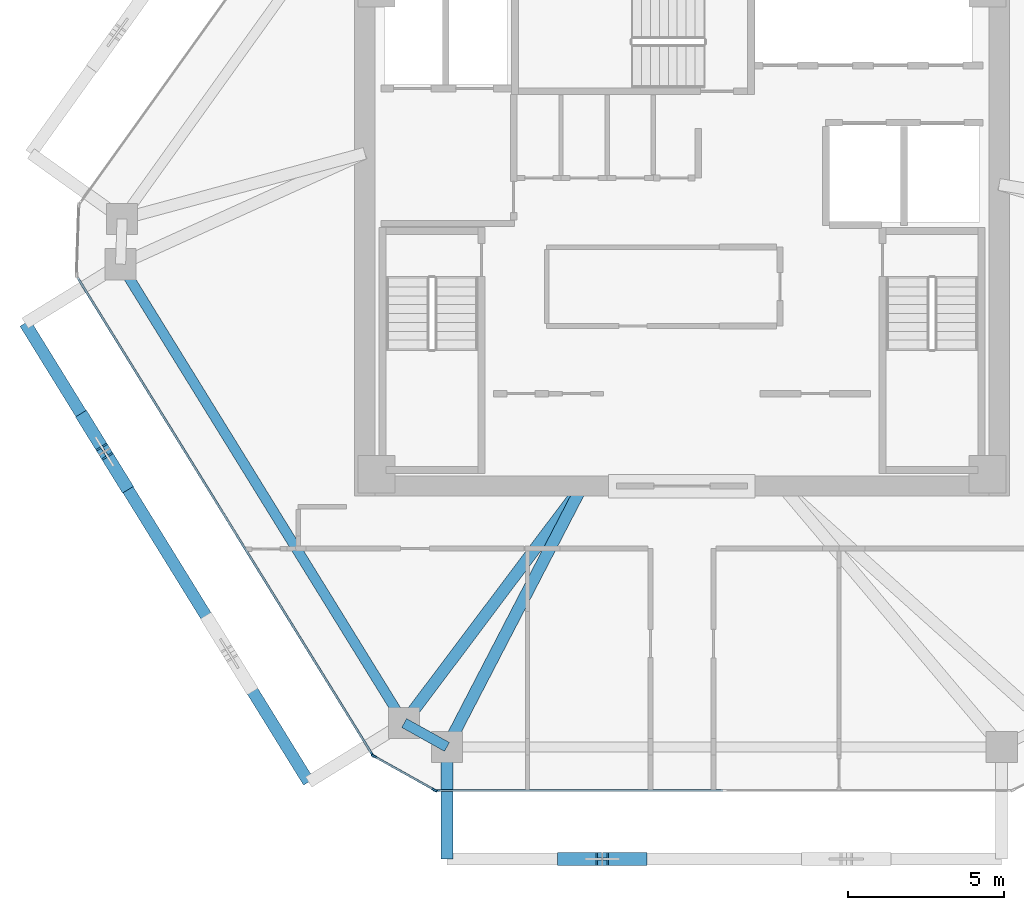
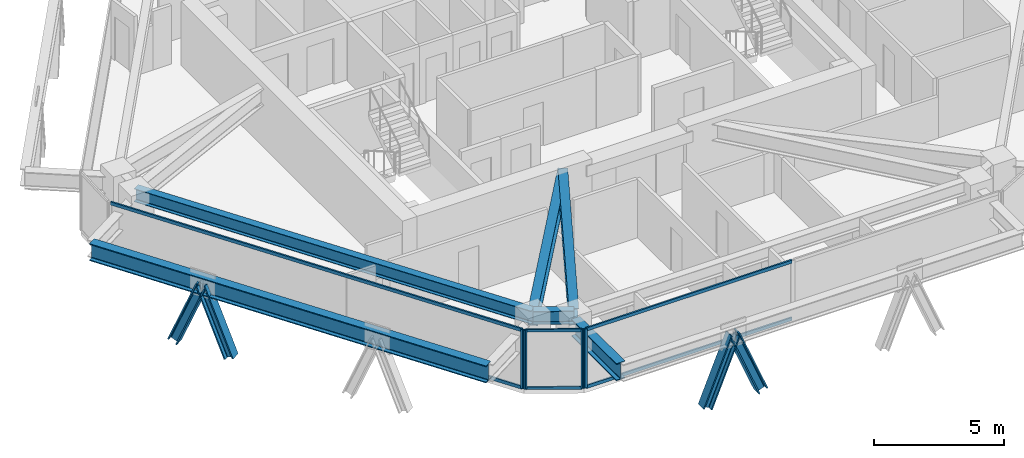
# One storey, part 2 of 15: 14 members, 6 beams, 3 elements without a shape of their own.
"""IFC4 building model written with IfcOpenShell, lengths in metres."""

from ifc_helpers import new_model, si_unit, direction, frame, origin, origin_2d, place, context, subcontext, project, spatial, rectangle, i_section, extrude, source, transform, mapped, material, layer, layer_set, material_profile, profile_set, type_object, type_shapes, element, aggregate, save


model = new_model("IFC4")

# Units and contexts
model_context = context("Model", 3, precision=1e-05, world=origin(), true_north=direction((0.0, 1.0)))
body_context = subcontext(model_context, "Body", "Model", "MODEL_VIEW")
ifc_project = project(units=[si_unit("LENGTHUNIT", "METRE"), si_unit("AREAUNIT", "SQUARE_METRE"), si_unit("VOLUMEUNIT", "CUBIC_METRE"), si_unit("PLANEANGLEUNIT", "RADIAN"), si_unit("MASSUNIT", "GRAM", prefix="KILO")], contexts=[model_context])

# Site, building, storey
site_placement = place(None, origin())
site = spatial("IfcSite", under=ifc_project, at=site_placement, CompositionType="ELEMENT")
building_placement = place(site_placement, origin())
building = spatial("IfcBuilding", under=site, at=building_placement, Name="Durnholm Broadcast Tower", CompositionType="ELEMENT")
storey_placement = place(building_placement, frame((0.0, 0.0, 206.199951171875)))
storey = spatial("IfcBuildingStorey", under=building, at=storey_placement, Name="L57", CompositionType="ELEMENT", Elevation=206.199951171875)

# Beams
ifc_material_1 = material(Name="Steel ASTM A992 Grade 50", Category="steel")
ifc_material_profile_1 = material_profile(ifc_material_1, i_section(OverallWidth=0.385009765625, OverallDepth=0.802978515625, WebThickness=0.023681640625, FlangeThickness=0.0419921875, FilletRadius=0.032958984375, at=origin_2d()), Name="W30X261")
ifc_profile_set_1 = profile_set([ifc_material_profile_1], Name="Steel ASTM A992 Grade 50")
beam_type_1 = type_object("IfcBeamType", Name="BM-EXO-TIE", PredefinedType="USERDEFINED", material=ifc_profile_set_1)
shared_shape_1 = source(origin(), body_context, "Body", "SweptSolid", [
    extrude(i_section(OverallWidth=0.385009765625, OverallDepth=0.802978515625, WebThickness=0.023681640625, FlangeThickness=0.0419921875, FilletRadius=0.032958984375, at=origin_2d()), origin(), (0.0, 0.0, 1.0), 3.4560546875),
])
beam_1_placement = place(storey_placement, frame((-7.53955078125, -16.68603515625, 2.008544921875), z_axis=(0.0, -1.0, 0.0), x_axis=(1.0, 0.0, 0.0)))
element("IfcBeam", 1, at=beam_1_placement, inside=storey, type_object=beam_type_1, Name="L57 exoskeleton stand-off tie bracket F1.1", ObjectType="GIRDER", PredefinedType="USERDEFINED", context=body_context, shape_type="MappedRepresentation", body=[
    mapped(shared_shape_1, transform((0.0, 0.0, 0.0), x_axis=(1.0, 0.0, 0.0), y_axis=(0.0, 1.0, 0.0), z_axis=(0.0, 0.0, 1.0), scale=1.0)),
])
ifc_material_profile_2 = material_profile(ifc_material_1, i_section(OverallWidth=0.3251953125, OverallDepth=0.6162109375, WebThickness=0.013916015625, FlangeThickness=0.021484375, FilletRadius=0.02783203125, at=origin_2d()), Name="W24X117")
ifc_profile_set_2 = profile_set([ifc_material_profile_2], Name="Steel ASTM A992 Grade 50")
beam_type_2 = type_object("IfcBeamType", Name="STL-SP-W24X117", PredefinedType="SPANDREL", material=ifc_profile_set_2)
shared_shape_2 = source(origin(), body_context, "Body", "SweptSolid", [
    extrude(i_section(OverallWidth=0.3251953125, OverallDepth=0.6162109375, WebThickness=0.013916015625, FlangeThickness=0.021484375, FilletRadius=0.02783203125, at=origin_2d()), origin(), (0.0, 0.0, 1.0), 17.3037109375),
])
beam_2_placement = place(storey_placement, frame((-8.91259765625, -15.7763671875, 2.43701171875), z_axis=(-0.525695324718, 0.850672925142, 0.0), x_axis=(-0.850672925142, -0.525695324718, 0.0)))
element("IfcBeam", 2, at=beam_2_placement, inside=storey, type_object=beam_type_2, Name="L57 perimeter spandrel girder 01", PredefinedType="SPANDREL", context=body_context, shape_type="MappedRepresentation", body=[
    mapped(shared_shape_2, transform((0.0, 0.0, 0.0), x_axis=(1.0, 0.0, 0.0), y_axis=(0.0, 1.0, 0.0), z_axis=(0.0, 0.0, 1.0), scale=1.0)),
])
shared_shape_3 = source(origin(), body_context, "Body", "SweptSolid", [
    extrude(i_section(OverallWidth=0.3251953125, OverallDepth=0.6162109375, WebThickness=0.013916015625, FlangeThickness=0.021484375, FilletRadius=0.02783203125, at=origin_2d()), origin(), (0.0, 0.0, 1.0), 1.572021484375),
])
type_shapes(beam_type_2, [shared_shape_2, shared_shape_3])
beam_3_placement = place(storey_placement, frame((-7.53955078125, -16.5419921875, 2.43701171875), z_axis=(-0.873394362663, 0.487013641769, 0.0), x_axis=(-0.487013641769, -0.873394362663, 0.0)))
element("IfcBeam", 3, at=beam_3_placement, inside=storey, type_object=beam_type_2, Name="L57 perimeter spandrel girder 12", PredefinedType="SPANDREL", context=body_context, shape_type="MappedRepresentation", body=[
    mapped(shared_shape_3, transform((0.0, 0.0, 0.0), x_axis=(1.0, 0.0, 0.0), y_axis=(0.0, 1.0, 0.0), z_axis=(0.0, 0.0, 1.0), scale=1.0)),
])
shared_shape_4 = source(origin(), body_context, "Body", "SweptSolid", [
    extrude(i_section(OverallWidth=0.385009765625, OverallDepth=0.802978515625, WebThickness=0.023681640625, FlangeThickness=0.0419921875, FilletRadius=0.032958984375, at=origin_2d()), origin(), (0.0, 0.0, 1.0), 17.303466796875),
])
type_shapes(beam_type_1, [shared_shape_1, shared_shape_4])
beam_4_placement = place(storey_placement, frame((-21.071533203125, -2.94921875, 2.008544921875), z_axis=(0.525701634347, -0.850669025911, 0.0), x_axis=(0.850669025911, 0.525701634347, 0.0)))
element("IfcBeam", 4, at=beam_4_placement, inside=storey, type_object=beam_type_1, Name="L57 exoskeleton collector spandrel F6", PredefinedType="SPANDREL", context=body_context, shape_type="MappedRepresentation", body=[
    mapped(shared_shape_4, transform((0.0, 0.0, 0.0), x_axis=(1.0, 0.0, 0.0), y_axis=(0.0, 1.0, 0.0), z_axis=(0.0, 0.0, 1.0), scale=1.0)),
])
ifc_material_profile_3 = material_profile(ifc_material_1, i_section(OverallWidth=0.380615234375, OverallDepth=0.773193359375, WebThickness=0.0166015625, FlangeThickness=0.027099609375, FilletRadius=0.032958984375, at=origin_2d()), Name="W30X173")
ifc_profile_set_3 = profile_set([ifc_material_profile_3], Name="Steel ASTM A992 Grade 50")
beam_type_3 = type_object("IfcBeamType", Name="STL-GR-W30X173", PredefinedType="USERDEFINED", material=ifc_profile_set_3)
shared_shape_5 = source(origin(), body_context, "Body", "SweptSolid", [
    extrude(i_section(OverallWidth=0.380615234375, OverallDepth=0.773193359375, WebThickness=0.0166015625, FlangeThickness=0.027099609375, FilletRadius=0.032958984375, at=origin_2d()), origin(), (0.0, 0.0, 1.0), 9.508544921875),
])
beam_5_placement = place(storey_placement, frame((-3.199951171875, -8.175048828125, 2.3583984375), z_axis=(-0.600784359039, -0.799411129479, 0.0), x_axis=(0.799411129479, -0.600784359039, 0.0)))
element("IfcBeam", 5, at=beam_5_placement, inside=storey, type_object=beam_type_3, Name="L57 radial primary floor girder 01", ObjectType="GIRDER", PredefinedType="USERDEFINED", context=body_context, shape_type="MappedRepresentation", body=[
    mapped(shared_shape_5, transform((0.0, 0.0, 0.0), x_axis=(1.0, 0.0, 0.0), y_axis=(0.0, 1.0, 0.0), z_axis=(0.0, 0.0, 1.0), scale=1.0)),
])
shared_shape_6 = source(origin(), body_context, "Body", "SweptSolid", [
    extrude(i_section(OverallWidth=0.380615234375, OverallDepth=0.773193359375, WebThickness=0.0166015625, FlangeThickness=0.027099609375, FilletRadius=0.032958984375, at=origin_2d()), origin(), (0.0, 0.0, 1.0), 9.42529296875),
])
type_shapes(beam_type_3, [shared_shape_5, shared_shape_6])
beam_6_placement = place(storey_placement, frame((-3.199951171875, -8.175048828125, 2.3583984375), z_axis=(-0.460416206992, -0.887703169048, 0.0), x_axis=(0.887703169048, -0.460416206992, 0.0)))
element("IfcBeam", 6, at=beam_6_placement, inside=storey, type_object=beam_type_3, Name="L57 radial primary floor girder 12", ObjectType="GIRDER", PredefinedType="USERDEFINED", context=body_context, shape_type="MappedRepresentation", body=[
    mapped(shared_shape_6, transform((0.0, 0.0, 0.0), x_axis=(1.0, 0.0, 0.0), y_axis=(0.0, 1.0, 0.0), z_axis=(0.0, 0.0, 1.0), scale=1.0)),
])

# Members
ifc_material_2 = material(Name="Steel ASTM A913 Grade 65", Category="steel")
ifc_material_profile_4 = material_profile(ifc_material_2, i_section(OverallWidth=0.412109375, OverallDepth=0.434814453125, WebThickness=0.035888671875, FlangeThickness=0.057373046875, FilletRadius=0.030517578125, at=origin_2d()), Name="W14X311")
ifc_profile_set_4 = profile_set([ifc_material_profile_4], Name="Steel ASTM A913 Grade 65")
member_type_1 = type_object("IfcMemberType", Name="STL-DG-W14X311", PredefinedType="BRACE", material=ifc_profile_set_4)
shared_shape_7 = source(origin(), body_context, "Body", "SweptSolid", [
    extrude(i_section(OverallWidth=0.412109375, OverallDepth=0.434814453125, WebThickness=0.035888671875, FlangeThickness=0.057373046875, FilletRadius=0.030517578125, at=origin_2d()), origin(), (0.0, 0.0, 1.0), 3.24365234375),
])
for number, where, z_axis, x_axis, name in (
    (7, (-3.790283203125, -20.14208984375, -0.991455078125), (0.380314428078, 0.0, 0.924857251578), (0.0, 1.0, 0.0), "L57 stand-off diagrid brace F1.D1.1"),
    (8, (-17.8759765625, -8.120361328125, -0.991455078125), (-0.19990238351, 0.323561877527, 0.924849581542), (-0.850732935913, -0.525598203719, 0.0), "L57 stand-off diagrid brace F6.D1.2"),
):
    element("IfcMember", number, at=place(storey_placement, frame(where, z_axis=z_axis, x_axis=x_axis)), inside=storey, type_object=member_type_1, Name=name, PredefinedType="BRACE", context=body_context, shape_type="MappedRepresentation", body=[
        mapped(shared_shape_7, transform((0.0, 0.0, 0.0), x_axis=(1.0, 0.0, 0.0), y_axis=(0.0, 1.0, 0.0), z_axis=(0.0, 0.0, 1.0), scale=1.0)),
    ])
shared_shape_8 = source(origin(), body_context, "Body", "SweptSolid", [
    extrude(i_section(OverallWidth=0.412109375, OverallDepth=0.434814453125, WebThickness=0.035888671875, FlangeThickness=0.057373046875, FilletRadius=0.030517578125, at=origin_2d()), origin(), (0.0, 0.0, 1.0), 3.243896484375),
])
type_shapes(member_type_1, [shared_shape_7, shared_shape_8])
for number, where, z_axis, x_axis, name in (
    (9, (-1.32275390625, -20.14208984375, -0.991455078125), (-0.380378804119, 0.0, 0.924830776616), (0.0, -1.0, 0.0), "L57 stand-off diagrid brace F1.D1.2"),
    (10, (-19.173095703125, -6.021240234375, -0.991455078125), (0.199974638691, -0.323557008556, 0.924835664372), (0.850644447398, 0.525741404219, 0.0), "L57 stand-off diagrid brace F6.D1.1"),
):
    element("IfcMember", number, at=place(storey_placement, frame(where, z_axis=z_axis, x_axis=x_axis)), inside=storey, type_object=member_type_1, Name=name, PredefinedType="BRACE", context=body_context, shape_type="MappedRepresentation", body=[
        mapped(shared_shape_8, transform((0.0, 0.0, 0.0), x_axis=(1.0, 0.0, 0.0), y_axis=(0.0, 1.0, 0.0), z_axis=(0.0, 0.0, 1.0), scale=1.0)),
    ])

# Curtain wall, members
ifc_material_3 = material(Name="Aluminium and Solar Control IGU", Category="aluminium")
ifc_layer_1 = layer(ifc_material_3, 0.1650390625)
ifc_layer_set_1 = layer_set([ifc_layer_1], Name="Aluminium and Solar Control IGU")
curtain_wall_type_1 = type_object("IfcCurtainWallType", Name="CW-SYS-5", PredefinedType="NOTDEFINED", material=ifc_layer_set_1)
curtain_wall_1_placement = place(storey_placement, origin())
curtain_wall_1 = element("IfcCurtainWall", 11, at=curtain_wall_1_placement, inside=storey, type_object=curtain_wall_type_1, Name="L57 curtain wall CW-CORNER CW-L57-CRN-11", PredefinedType="NOTDEFINED")
ifc_material_4 = material(Name="Aluminium 6063-T6", Category="aluminium")
ifc_material_profile_5 = material_profile(ifc_material_4, rectangle(XDim=0.06494140625, YDim=0.1650390625, at=origin_2d()), Name="CWM65X165")
ifc_profile_set_5 = profile_set([ifc_material_profile_5], Name="Aluminium 6063-T6")
member_type_2 = type_object("IfcMemberType", Name="CW-SYS-5-MUL", PredefinedType="MULLION", material=ifc_profile_set_5)
shared_shape_9 = source(origin(), body_context, "Body", "SweptSolid", [
    extrude(rectangle(XDim=0.06494140625, YDim=0.1650390625, at=origin_2d()), origin(), (0.0, 0.0, 1.0), 2.760009765625),
])
type_shapes(member_type_2, [shared_shape_9])
member_1_placement = place(storey_placement, frame((-7.931884765625, -17.92626953125, 0.0), z_axis=(0.0, 0.0, 1.0), x_axis=(-0.486986043316, -0.873409751271, 0.0)))
member_1 = element("IfcMember", 12, at=member_1_placement, type_object=member_type_2, Name="CW-CORNER mullion 1", PredefinedType="MULLION", context=body_context, shape_type="MappedRepresentation", body=[
    mapped(shared_shape_9, transform((0.0, 0.0, 0.0), x_axis=(1.0, 0.0, 0.0), y_axis=(0.0, 1.0, 0.0), z_axis=(0.0, 0.0, 1.0), scale=1.0)),
])
member_2_placement = place(storey_placement, frame((-9.884033203125, -16.837646484375, 0.0), z_axis=(0.0, 0.0, 1.0), x_axis=(-0.486986043316, -0.873409751271, 0.0)))
member_2 = element("IfcMember", 13, at=member_2_placement, type_object=member_type_2, Name="CW-CORNER mullion 2", PredefinedType="MULLION", context=body_context, shape_type="MappedRepresentation", body=[
    mapped(shared_shape_9, transform((0.0, 0.0, 0.0), x_axis=(1.0, 0.0, 0.0), y_axis=(0.0, 1.0, 0.0), z_axis=(0.0, 0.0, 1.0), scale=1.0)),
])
ifc_material_profile_6 = material_profile(ifc_material_4, rectangle(XDim=0.06494140625, YDim=0.1298828125, at=origin_2d()), Name="CWT65X130")
ifc_profile_set_6 = profile_set([ifc_material_profile_6], Name="Aluminium 6063-T6")
member_type_3 = type_object("IfcMemberType", Name="CW-SYS-5-TRN", PredefinedType="USERDEFINED", material=ifc_profile_set_6)
shared_shape_10 = source(origin(), body_context, "Body", "SweptSolid", [
    extrude(rectangle(XDim=0.06494140625, YDim=0.1298828125, at=origin_2d()), origin(), (0.0, 0.0, 1.0), 2.169921875),
])
type_shapes(member_type_3, [shared_shape_10])
member_3_placement = place(storey_placement, frame((-7.960205078125, -17.910400390625, 0.032470703125), z_axis=(-0.873381360539, 0.487036958621, 0.0), x_axis=(-0.487036958621, -0.873381360539, 0.0)))
member_3 = element("IfcMember", 14, at=member_3_placement, type_object=member_type_3, Name="CW-CORNER transom 1.1", ObjectType="TRANSOM", PredefinedType="USERDEFINED", context=body_context, shape_type="MappedRepresentation", body=[
    mapped(shared_shape_10, transform((0.0, 0.0, 0.0), x_axis=(1.0, 0.0, 0.0), y_axis=(0.0, 1.0, 0.0), z_axis=(0.0, 0.0, 1.0), scale=1.0)),
])
member_4_placement = place(storey_placement, frame((-7.960205078125, -17.910400390625, 2.7275390625), z_axis=(-0.873381360539, 0.487036958621, 0.0), x_axis=(-0.487036958621, -0.873381360539, 0.0)))
member_4 = element("IfcMember", 15, at=member_4_placement, type_object=member_type_3, Name="CW-CORNER transom 1.2", ObjectType="TRANSOM", PredefinedType="USERDEFINED", context=body_context, shape_type="MappedRepresentation", body=[
    mapped(shared_shape_10, transform((0.0, 0.0, 0.0), x_axis=(1.0, 0.0, 0.0), y_axis=(0.0, 1.0, 0.0), z_axis=(0.0, 0.0, 1.0), scale=1.0)),
])
aggregate(curtain_wall_1, [member_1, member_2, member_3, member_4])

ifc_layer_2 = layer(ifc_material_3, 0.18994140625)
ifc_layer_set_2 = layer_set([ifc_layer_2], Name="Aluminium and Solar Control IGU")
curtain_wall_type_2 = type_object("IfcCurtainWallType", Name="CW-SYS-4", PredefinedType="NOTDEFINED", material=ifc_layer_set_2)
curtain_wall_2_placement = place(storey_placement, origin())
curtain_wall_2 = element("IfcCurtainWall", 16, at=curtain_wall_2_placement, inside=storey, type_object=curtain_wall_type_2, Name="L57 curtain wall CW-Z34-VIS CW-L57-F10", PredefinedType="NOTDEFINED")
ifc_material_profile_7 = material_profile(ifc_material_4, rectangle(XDim=0.070068359375, YDim=0.14990234375, at=origin_2d()), Name="CWT70X150")
ifc_profile_set_7 = profile_set([ifc_material_profile_7], Name="Aluminium 6063-T6")
member_type_4 = type_object("IfcMemberType", Name="CW-SYS-4-TRN", PredefinedType="USERDEFINED", material=ifc_profile_set_7)
shared_shape_11 = source(origin(), body_context, "Body", "SweptSolid", [
    extrude(rectangle(XDim=0.070068359375, YDim=0.14990234375, at=origin_2d()), origin(), (0.0, 0.0, 1.0), 9.14453125),
])
member_5_placement = place(storey_placement, frame((1.31103515625, -17.94189453125, 0.03515625), z_axis=(-1.0, 0.0, 0.0), x_axis=(0.0, -1.0, 0.0)))
member_5 = element("IfcMember", 17, at=member_5_placement, type_object=member_type_4, Name="CW-Z34-VIS transom 2.1", ObjectType="TRANSOM", PredefinedType="USERDEFINED", context=body_context, shape_type="MappedRepresentation", body=[
    mapped(shared_shape_11, transform((0.0, 0.0, 0.0), x_axis=(1.0, 0.0, 0.0), y_axis=(0.0, 1.0, 0.0), z_axis=(0.0, 0.0, 1.0), scale=1.0)),
])
member_6_placement = place(storey_placement, frame((1.31103515625, -17.94189453125, 2.72509765625), z_axis=(-1.0, 0.0, 0.0), x_axis=(0.0, -1.0, 0.0)))
member_6 = element("IfcMember", 18, at=member_6_placement, type_object=member_type_4, Name="CW-Z34-VIS transom 2.2", ObjectType="TRANSOM", PredefinedType="USERDEFINED", context=body_context, shape_type="MappedRepresentation", body=[
    mapped(shared_shape_11, transform((0.0, 0.0, 0.0), x_axis=(1.0, 0.0, 0.0), y_axis=(0.0, 1.0, 0.0), z_axis=(0.0, 0.0, 1.0), scale=1.0)),
])

curtain_wall_3_placement = place(storey_placement, origin())
curtain_wall_3 = element("IfcCurtainWall", 19, at=curtain_wall_3_placement, inside=storey, type_object=curtain_wall_type_2, Name="L57 curtain wall CW-Z34-VIS CW-L57-F12", PredefinedType="NOTDEFINED")
shared_shape_12 = source(origin(), body_context, "Body", "SweptSolid", [
    extrude(rectangle(XDim=0.070068359375, YDim=0.14990234375, at=origin_2d()), origin(), (0.0, 0.0, 1.0), 17.951171875),
])
type_shapes(member_type_4, [shared_shape_11, shared_shape_12])
member_7_placement = place(storey_placement, frame((-9.94921875, -16.762451171875, 0.03515625), z_axis=(-0.525693813807, 0.850673858847, 0.0), x_axis=(-0.850673858847, -0.525693813807, 0.0)))
member_7 = element("IfcMember", 20, at=member_7_placement, type_object=member_type_4, Name="CW-Z34-VIS transom 1.1", ObjectType="TRANSOM", PredefinedType="USERDEFINED", context=body_context, shape_type="MappedRepresentation", body=[
    mapped(shared_shape_12, transform((0.0, 0.0, 0.0), x_axis=(1.0, 0.0, 0.0), y_axis=(0.0, 1.0, 0.0), z_axis=(0.0, 0.0, 1.0), scale=1.0)),
])
member_8_placement = place(storey_placement, frame((-9.94921875, -16.762451171875, 2.72509765625), z_axis=(-0.525693813807, 0.850673858847, 0.0), x_axis=(-0.850673858847, -0.525693813807, 0.0)))
member_8 = element("IfcMember", 21, at=member_8_placement, type_object=member_type_4, Name="CW-Z34-VIS transom 1.2", ObjectType="TRANSOM", PredefinedType="USERDEFINED", context=body_context, shape_type="MappedRepresentation", body=[
    mapped(shared_shape_12, transform((0.0, 0.0, 0.0), x_axis=(1.0, 0.0, 0.0), y_axis=(0.0, 1.0, 0.0), z_axis=(0.0, 0.0, 1.0), scale=1.0)),
])

# Member
ifc_material_profile_8 = material_profile(ifc_material_4, rectangle(XDim=0.070068359375, YDim=0.18994140625, at=origin_2d()), Name="CWM70X190")
ifc_profile_set_8 = profile_set([ifc_material_profile_8], Name="Aluminium 6063-T6")
member_type_5 = type_object("IfcMemberType", Name="CW-SYS-4-MUL", PredefinedType="MULLION", material=ifc_profile_set_8)
shared_shape_13 = source(origin(), body_context, "Body", "SweptSolid", [
    extrude(rectangle(XDim=0.070068359375, YDim=0.18994140625, at=origin_2d()), origin(), (0.0, 0.0, 1.0), 2.760009765625),
])
type_shapes(member_type_5, [shared_shape_13])
member_9_placement = place(storey_placement, frame((-7.868408203125, -17.94189453125, 0.0), z_axis=(0.0, 0.0, 1.0), x_axis=(0.0, -1.0, 0.0)))
member_9 = element("IfcMember", 22, at=member_9_placement, type_object=member_type_5, Name="CW-Z34-VIS mullion 3", PredefinedType="MULLION", context=body_context, shape_type="MappedRepresentation", body=[
    mapped(shared_shape_13, transform((0.0, 0.0, 0.0), x_axis=(1.0, 0.0, 0.0), y_axis=(0.0, 1.0, 0.0), z_axis=(0.0, 0.0, 1.0), scale=1.0)),
])

aggregate(curtain_wall_2, [member_9, member_5, member_6])

member_10_placement = place(storey_placement, frame((-9.9306640625, -16.792236328125, 0.0), z_axis=(0.0, 0.0, 1.0), x_axis=(-0.850671426092, -0.525697750452, 0.0)))
member_10 = element("IfcMember", 23, at=member_10_placement, type_object=member_type_5, Name="CW-Z34-VIS mullion 1", PredefinedType="MULLION", context=body_context, shape_type="MappedRepresentation", body=[
    mapped(shared_shape_13, transform((0.0, 0.0, 0.0), x_axis=(1.0, 0.0, 0.0), y_axis=(0.0, 1.0, 0.0), z_axis=(0.0, 0.0, 1.0), scale=1.0)),
])

aggregate(curtain_wall_3, [member_10, member_7, member_8])

save(model, "model.ifc")
